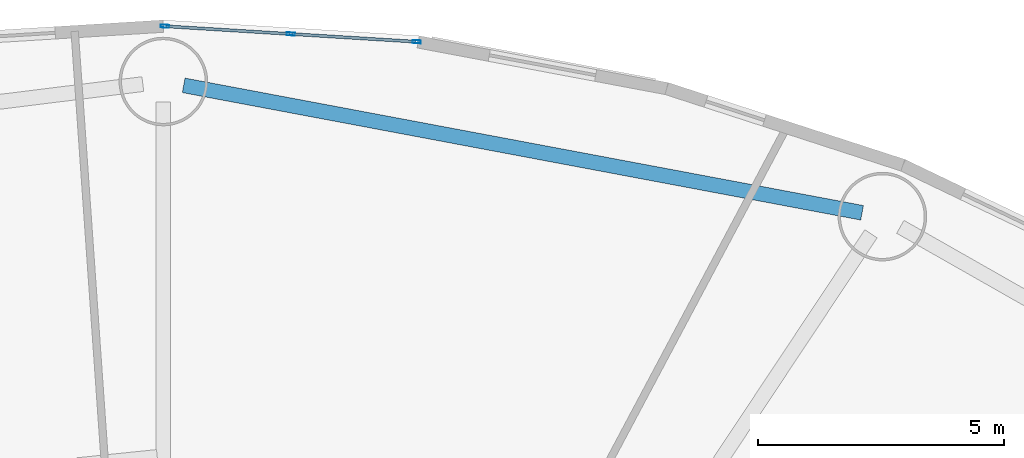
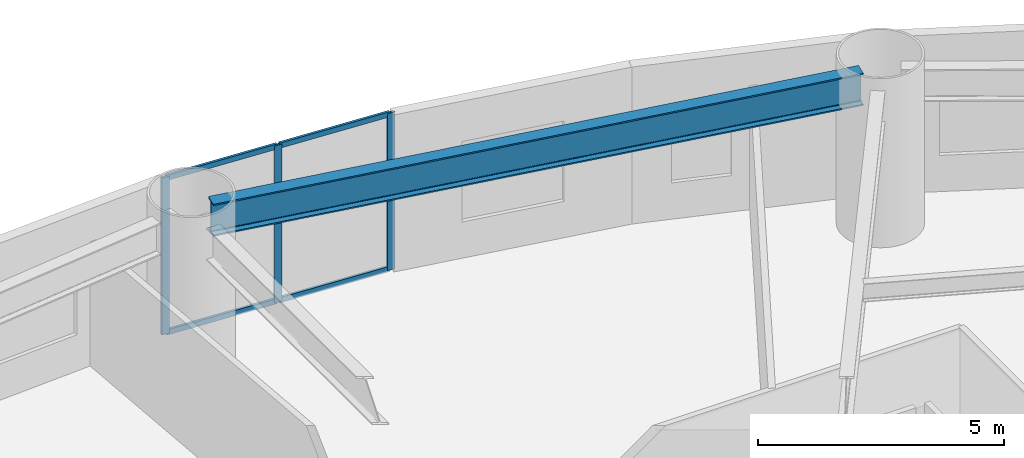
# One storey, part 10 of 27: 7 members, 1 beam, 1 element without a shape of its own.
"""IFC4 building model written with IfcOpenShell, lengths in metres."""

from ifc_helpers import new_model, si_unit, direction, frame, origin, origin_2d, place, context, subcontext, project, spatial, hollow_rectangle, i_section, extrude, source, transform, mapped, material, layer, layer_set, material_profile, profile_set, type_object, element, aggregate, save


model = new_model("IFC4")

# Units and contexts
model_context = context("Model", 3, precision=1e-05, world=origin(), true_north=direction((0.0, 1.0)))
body_context = subcontext(model_context, "Body", "Model", "MODEL_VIEW")
ifc_project = project(units=[si_unit("LENGTHUNIT", "METRE"), si_unit("AREAUNIT", "SQUARE_METRE"), si_unit("VOLUMEUNIT", "CUBIC_METRE"), si_unit("PLANEANGLEUNIT", "RADIAN"), si_unit("MASSUNIT", "GRAM", prefix="KILO")], contexts=[model_context])

# Site, building, storey
site_placement = place(None, origin())
site = spatial("IfcSite", under=ifc_project, at=site_placement, CompositionType="ELEMENT")
building_placement = place(site_placement, origin())
building = spatial("IfcBuilding", under=site, at=building_placement, Name="Linh Dai School and Residence Tower", CompositionType="ELEMENT")
storey_placement = place(building_placement, frame((0.0, 0.0, 14.39990234375)))
storey = spatial("IfcBuildingStorey", under=building, at=storey_placement, Name="L03", CompositionType="ELEMENT", Elevation=14.39990234375)

# Beam
ifc_material_1 = material(Name="Structural Steel S355JR", Category="steel")
ifc_material_profile_1 = material_profile(ifc_material_1, i_section(OverallWidth=0.300048828125, OverallDepth=0.800048828125, WebThickness=0.017578125, FlangeThickness=0.032958984375, FilletRadius=0.030029296875, at=origin_2d()), Name="HEB 800")
ifc_profile_set_1 = profile_set([ifc_material_profile_1], Name="Structural Steel S355JR")
beam_type = type_object("IfcBeamType", Name="BM-RG8", PredefinedType="BEAM", material=ifc_profile_set_1)
beam_placement = place(storey_placement, frame((50.196533203125, 49.082763671875, 3.5), z_axis=(-0.98280551354, 0.184643772045, 0.0), x_axis=(-0.184643772045, -0.98280551354, 0.0)))
element("IfcBeam", 1, at=beam_placement, inside=storey, type_object=beam_type, Name="L03 Perimeter Elliptical Ring Beam 04", PredefinedType="BEAM", context=body_context, shape_type="SweptSolid", body=[
    extrude(i_section(OverallWidth=0.300048828125, OverallDepth=0.800048828125, WebThickness=0.017578125, FlangeThickness=0.032958984375, FilletRadius=0.030029296875, at=origin_2d()), origin(), (0.0, 0.0, 1.0), 14.02490234375),
])

# Curtain wall, members
ifc_material_2 = material(Name="Aluminium Anodised Curtain Wall", Category="aluminium")
ifc_layer = layer(ifc_material_2, 0.169921875)
ifc_layer_set = layer_set([ifc_layer], Name="Aluminium Anodised Curtain Wall")
curtain_wall_type = type_object("IfcCurtainWallType", Name="CW-SYS-2", PredefinedType="USERDEFINED", material=ifc_layer_set)
curtain_wall_placement = place(storey_placement, origin())
curtain_wall = element("IfcCurtainWall", 2, at=curtain_wall_placement, inside=storey, type_object=curtain_wall_type, Name="L03 CW2 Curtain Wall 10", ObjectType="UNITISED CURTAIN WALL", PredefinedType="USERDEFINED")
ifc_material_3 = material(Name="Aluminium Alloy 6063-T6", Category="aluminium")
ifc_material_profile_2 = material_profile(ifc_material_3, hollow_rectangle(XDim=0.06005859375, YDim=0.1298828125, WallThickness=0.00390625, at=origin_2d()), Name="RHS 130x60x4")
ifc_profile_set_2 = profile_set([ifc_material_profile_2], Name="Aluminium Alloy 6063-T6")
member_type_1 = type_object("IfcMemberType", Name="CW-SYS-2-TRN", PredefinedType="USERDEFINED", material=ifc_profile_set_2)
shared_shape_1 = source(origin(), body_context, "Body", "SweptSolid", [
    extrude(hollow_rectangle(XDim=0.06005859375, YDim=0.1298828125, WallThickness=0.00390625, at=origin_2d()), origin(), (0.0, 0.0, 1.0), 2.50390625),
])
member_1_placement = place(storey_placement, frame((36.059814453125, 52.871337890625, 0.030029296875), z_axis=(0.99810570363, -0.061522389273, 0.0), x_axis=(0.061522389273, 0.99810570363, 0.0)))
member_1 = element("IfcMember", 3, at=member_1_placement, type_object=member_type_1, Name="CW2 transom 1.1", ObjectType="TRANSOM", PredefinedType="USERDEFINED", context=body_context, shape_type="MappedRepresentation", body=[
    mapped(shared_shape_1, transform((0.0, 0.0, 0.0), x_axis=(1.0, 0.0, 0.0), y_axis=(0.0, 1.0, 0.0), z_axis=(0.0, 0.0, 1.0), scale=1.0)),
])
member_2_placement = place(storey_placement, frame((36.059814453125, 52.871337890625, 3.8701171875), z_axis=(0.99810570363, -0.061522389273, 0.0), x_axis=(0.061522389273, 0.99810570363, 0.0)))
member_2 = element("IfcMember", 4, at=member_2_placement, type_object=member_type_1, Name="CW2 transom 1.2", ObjectType="TRANSOM", PredefinedType="USERDEFINED", context=body_context, shape_type="MappedRepresentation", body=[
    mapped(shared_shape_1, transform((0.0, 0.0, 0.0), x_axis=(1.0, 0.0, 0.0), y_axis=(0.0, 1.0, 0.0), z_axis=(0.0, 0.0, 1.0), scale=1.0)),
])
member_3_placement = place(storey_placement, frame((38.619140625, 52.713623046875, 0.030029296875), z_axis=(0.99810570363, -0.061522389273, 0.0), x_axis=(0.061522389273, 0.99810570363, 0.0)))
member_3 = element("IfcMember", 5, at=member_3_placement, type_object=member_type_1, Name="CW2 transom 2.1", ObjectType="TRANSOM", PredefinedType="USERDEFINED", context=body_context, shape_type="MappedRepresentation", body=[
    mapped(shared_shape_1, transform((0.0, 0.0, 0.0), x_axis=(1.0, 0.0, 0.0), y_axis=(0.0, 1.0, 0.0), z_axis=(0.0, 0.0, 1.0), scale=1.0)),
])
member_4_placement = place(storey_placement, frame((38.619140625, 52.713623046875, 3.8701171875), z_axis=(0.99810570363, -0.061522389273, 0.0), x_axis=(0.061522389273, 0.99810570363, 0.0)))
member_4 = element("IfcMember", 6, at=member_4_placement, type_object=member_type_1, Name="CW2 transom 2.2", ObjectType="TRANSOM", PredefinedType="USERDEFINED", context=body_context, shape_type="MappedRepresentation", body=[
    mapped(shared_shape_1, transform((0.0, 0.0, 0.0), x_axis=(1.0, 0.0, 0.0), y_axis=(0.0, 1.0, 0.0), z_axis=(0.0, 0.0, 1.0), scale=1.0)),
])
ifc_material_profile_3 = material_profile(ifc_material_3, hollow_rectangle(XDim=0.06005859375, YDim=0.169921875, WallThickness=0.00390625, at=origin_2d()), Name="RHS 170x60x4")
ifc_profile_set_3 = profile_set([ifc_material_profile_3], Name="Aluminium Alloy 6063-T6")
member_type_2 = type_object("IfcMemberType", Name="CW-SYS-2-MUL", PredefinedType="MULLION", material=ifc_profile_set_3)
shared_shape_2 = source(origin(), body_context, "Body", "SweptSolid", [
    extrude(hollow_rectangle(XDim=0.06005859375, YDim=0.169921875, WallThickness=0.00390625, at=origin_2d()), origin(), (0.0, 0.0, 1.0), 3.900146484375),
])
member_5_placement = place(storey_placement, frame((36.030029296875, 52.873046875, 0.0), z_axis=(0.0, 0.0, 1.0), x_axis=(0.061516182598, 0.998106086185, 0.0)))
member_5 = element("IfcMember", 7, at=member_5_placement, type_object=member_type_2, Name="CW2 mullion 1", PredefinedType="MULLION", context=body_context, shape_type="MappedRepresentation", body=[
    mapped(shared_shape_2, transform((0.0, 0.0, 0.0), x_axis=(1.0, 0.0, 0.0), y_axis=(0.0, 1.0, 0.0), z_axis=(0.0, 0.0, 1.0), scale=1.0)),
])
member_6_placement = place(storey_placement, frame((38.589111328125, 52.71533203125, 0.0), z_axis=(0.0, 0.0, 1.0), x_axis=(0.061516182598, 0.998106086185, 0.0)))
member_6 = element("IfcMember", 8, at=member_6_placement, type_object=member_type_2, Name="CW2 mullion 2", PredefinedType="MULLION", context=body_context, shape_type="MappedRepresentation", body=[
    mapped(shared_shape_2, transform((0.0, 0.0, 0.0), x_axis=(1.0, 0.0, 0.0), y_axis=(0.0, 1.0, 0.0), z_axis=(0.0, 0.0, 1.0), scale=1.0)),
])
member_7_placement = place(storey_placement, frame((41.148193359375, 52.5576171875, 0.0), z_axis=(0.0, 0.0, 1.0), x_axis=(0.061516182598, 0.998106086185, 0.0)))
member_7 = element("IfcMember", 9, at=member_7_placement, type_object=member_type_2, Name="CW2 mullion 3", PredefinedType="MULLION", context=body_context, shape_type="MappedRepresentation", body=[
    mapped(shared_shape_2, transform((0.0, 0.0, 0.0), x_axis=(1.0, 0.0, 0.0), y_axis=(0.0, 1.0, 0.0), z_axis=(0.0, 0.0, 1.0), scale=1.0)),
])
aggregate(curtain_wall, [member_5, member_6, member_7, member_1, member_2, member_3, member_4])

save(model, "model.ifc")
